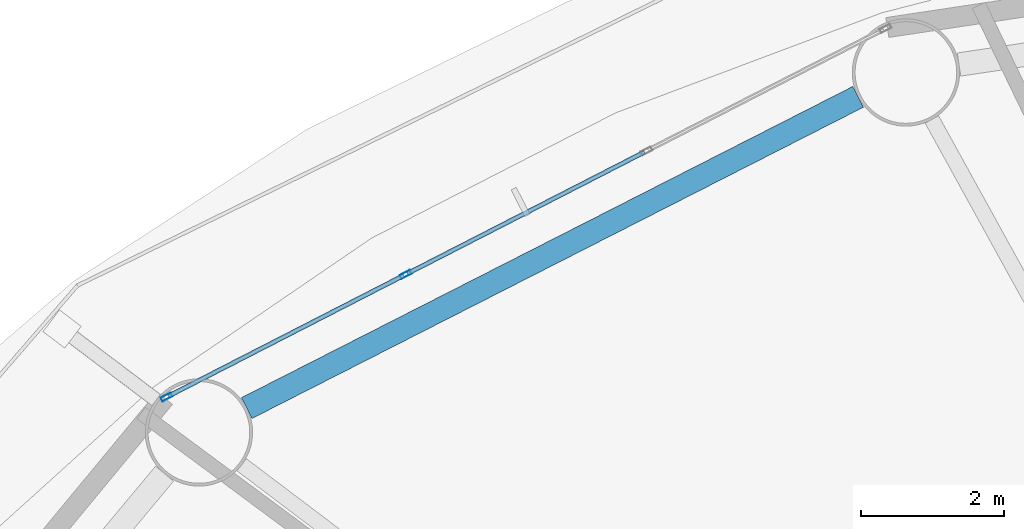
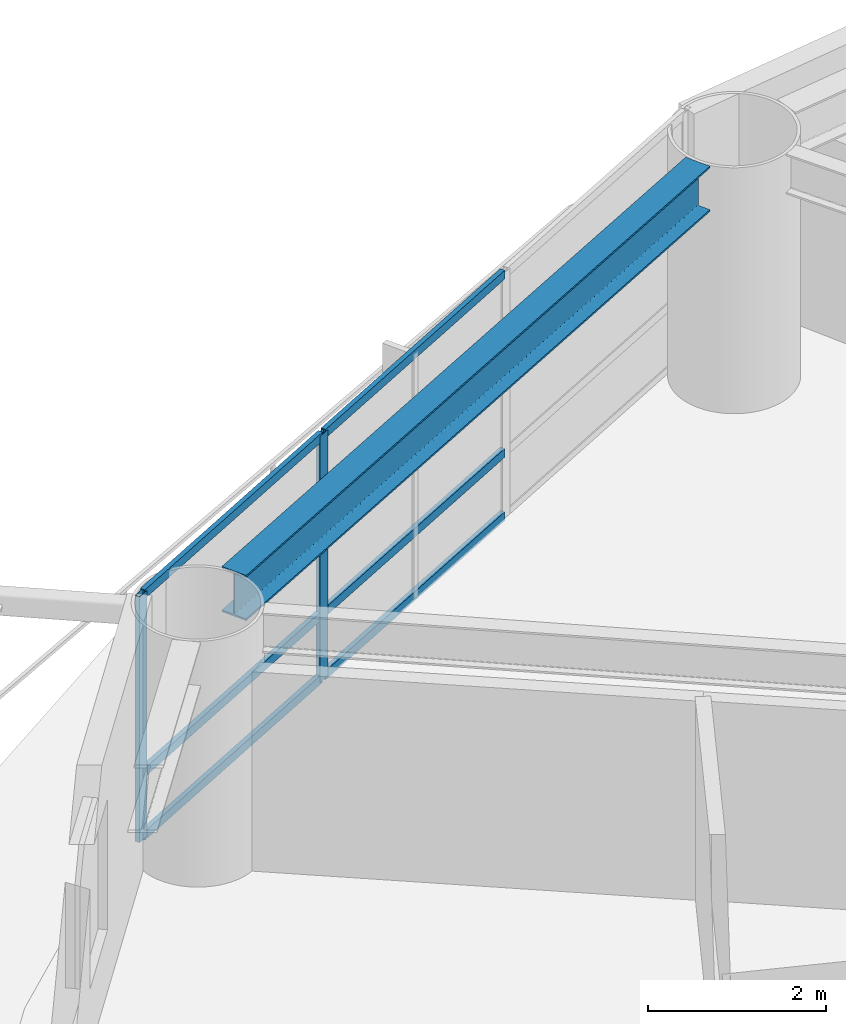
# One storey, part 10 of 26: 8 members, 1 beam, 1 element without a shape of its own.
"""IFC4 building model written with IfcOpenShell, lengths in metres."""

from ifc_helpers import new_model, si_unit, direction, frame, origin, origin_2d, place, context, subcontext, project, spatial, hollow_rectangle, i_section, extrude, material, layer, layer_set, material_profile, profile_set, type_object, element, aggregate, save


model = new_model("IFC4")

# Units and contexts
model_context = context("Model", 3, precision=1e-05, world=origin(), true_north=direction((0.0, 1.0)))
body_context = subcontext(model_context, "Body", "Model", "MODEL_VIEW")
ifc_project = project(units=[si_unit("LENGTHUNIT", "METRE"), si_unit("AREAUNIT", "SQUARE_METRE"), si_unit("VOLUMEUNIT", "CUBIC_METRE"), si_unit("PLANEANGLEUNIT", "RADIAN"), si_unit("MASSUNIT", "GRAM", prefix="KILO")], contexts=[model_context])

# Site, building, storey
site_placement = place(None, origin())
site = spatial("IfcSite", under=ifc_project, at=site_placement, CompositionType="ELEMENT")
building_placement = place(site_placement, origin())
building = spatial("IfcBuilding", under=site, at=building_placement, Name="Sarneth Arch Tower", CompositionType="ELEMENT")
storey_placement = place(building_placement, frame((0.0, 0.0, 35.39990234375)))
storey = spatial("IfcBuildingStorey", under=building, at=storey_placement, Name="L07", CompositionType="ELEMENT", Elevation=35.39990234375)

# Beam
ifc_material_1 = material(Name="Steel S355", Category="steel")
ifc_material_profile_1 = material_profile(ifc_material_1, i_section(OverallWidth=0.326904296875, OverallDepth=0.6220703125, WebThickness=0.015380859375, FlangeThickness=0.0244140625, FilletRadius=0.01904296875, at=origin_2d()), Name="W610x195")
ifc_profile_set_1 = profile_set([ifc_material_profile_1], Name="Steel S355")
beam_type = type_object("IfcBeamType", Name="BM-SPAN-610A", PredefinedType="SPANDREL", material=ifc_profile_set_1)
beam_placement = place(storey_placement, frame((35.513916015625, 63.09375, 3.069091796875), z_axis=(-0.891169106887, -0.453671271882, 0.0), x_axis=(0.453671271882, -0.891169106887, 0.0)))
element("IfcBeam", 1, at=beam_placement, inside=storey, type_object=beam_type, Name="L07 Perimeter spandrel beam 06", PredefinedType="SPANDREL", context=body_context, shape_type="SweptSolid", body=[
    extrude(i_section(OverallWidth=0.326904296875, OverallDepth=0.6220703125, WebThickness=0.015380859375, FlangeThickness=0.0244140625, FilletRadius=0.01904296875, at=origin_2d()), origin(), (0.0, 0.0, 1.0), 9.58544921875),
])

# Curtain wall, members
ifc_material_2 = material(Name="Anodised aluminium Type AA25 and solar-control low-e laminated IGU", Category="aluminium")
ifc_layer = layer(ifc_material_2, 0.159912109375)
ifc_layer_set = layer_set([ifc_layer], Name="Anodised aluminium Type AA25 and solar-control low-e laminated IGU")
curtain_wall_type = type_object("IfcCurtainWallType", Name="CW-HOTEL-LOW", PredefinedType="NOTDEFINED", material=ifc_layer_set)
curtain_wall_placement = place(storey_placement, origin())
curtain_wall = element("IfcCurtainWall", 2, at=curtain_wall_placement, inside=storey, type_object=curtain_wall_type, Name="L07 Unitised curtain wall facet 06", PredefinedType="NOTDEFINED")
ifc_material_3 = material(Name="Anodised Aluminium 6063-T6", Category="aluminium")
ifc_material_profile_2 = material_profile(ifc_material_3, hollow_rectangle(XDim=0.06005859375, YDim=0.159912109375, WallThickness=0.00390625, at=origin_2d()), Name="AL-MULL-160x60x4")
ifc_profile_set_2 = profile_set([ifc_material_profile_2], Name="Anodised Aluminium 6063-T6")
member_type_1 = type_object("IfcMemberType", Name="CW-MULLION", PredefinedType="MULLION", material=ifc_profile_set_2)
member_1_placement = place(storey_placement, frame((29.19140625, 60.611328125, 0.0), z_axis=(0.0, 0.0, 1.0), x_axis=(0.456245197127, -0.889854100456, 0.0)))
member_1 = element("IfcMember", 3, at=member_1_placement, type_object=member_type_1, Name="CW-SYS-3 mullion 3", PredefinedType="MULLION", context=body_context, shape_type="SweptSolid", body=[
    extrude(hollow_rectangle(XDim=0.06005859375, YDim=0.159912109375, WallThickness=0.00390625, at=origin_2d()), origin(), (0.0, 0.0, 1.0), 3.380126953125),
])
member_2_placement = place(storey_placement, frame((25.8525390625, 58.8994140625, 0.0), z_axis=(0.0, 0.0, 1.0), x_axis=(0.456245197127, -0.889854100456, 0.0)))
member_2 = element("IfcMember", 4, at=member_2_placement, type_object=member_type_1, Name="CW-SYS-3 mullion 4", PredefinedType="MULLION", context=body_context, shape_type="SweptSolid", body=[
    extrude(hollow_rectangle(XDim=0.06005859375, YDim=0.159912109375, WallThickness=0.00390625, at=origin_2d()), origin(), (0.0, 0.0, 1.0), 3.380126953125),
])
ifc_material_4 = material(Name="Anodised Aluminium 6063-T6", Category="aluminium")
ifc_material_profile_3 = material_profile(ifc_material_4, hollow_rectangle(XDim=0.06005859375, YDim=0.1201171875, WallThickness=0.00390625, at=origin_2d()), Name="AL-TRAN-120x60x4")
ifc_profile_set_3 = profile_set([ifc_material_profile_3], Name="Anodised Aluminium 6063-T6")
member_type_2 = type_object("IfcMemberType", Name="CW-TRANSOM", PredefinedType="USERDEFINED", material=ifc_profile_set_3)
member_3_placement = place(storey_placement, frame((32.530029296875, 62.322998046875, 0.030029296875), z_axis=(-0.889868677022, -0.456216766083, 0.0), x_axis=(0.456216766083, -0.889868677022, 0.0)))
member_3 = element("IfcMember", 5, at=member_3_placement, type_object=member_type_2, Name="CW-SYS-3 transom 2.1", ObjectType="TRANSOM", PredefinedType="USERDEFINED", context=body_context, shape_type="SweptSolid", body=[
    extrude(hollow_rectangle(XDim=0.06005859375, YDim=0.1201171875, WallThickness=0.00390625, at=origin_2d()), origin(), (0.0, 0.0, 1.0), 3.721923828125),
])
member_4_placement = place(storey_placement, frame((32.530029296875, 62.322998046875, 0.900146484375), z_axis=(-0.889868677022, -0.456216766083, 0.0), x_axis=(0.456216766083, -0.889868677022, 0.0)))
member_4 = element("IfcMember", 6, at=member_4_placement, type_object=member_type_2, Name="CW-SYS-3 transom 2.2", ObjectType="TRANSOM", PredefinedType="USERDEFINED", context=body_context, shape_type="SweptSolid", body=[
    extrude(hollow_rectangle(XDim=0.06005859375, YDim=0.1201171875, WallThickness=0.00390625, at=origin_2d()), origin(), (0.0, 0.0, 1.0), 3.721923828125),
])
member_5_placement = place(storey_placement, frame((32.530029296875, 62.322998046875, 3.35009765625), z_axis=(-0.889868677022, -0.456216766083, 0.0), x_axis=(0.456216766083, -0.889868677022, 0.0)))
member_5 = element("IfcMember", 7, at=member_5_placement, type_object=member_type_2, Name="CW-SYS-3 transom 2.3", ObjectType="TRANSOM", PredefinedType="USERDEFINED", context=body_context, shape_type="SweptSolid", body=[
    extrude(hollow_rectangle(XDim=0.06005859375, YDim=0.1201171875, WallThickness=0.00390625, at=origin_2d()), origin(), (0.0, 0.0, 1.0), 3.721923828125),
])
member_6_placement = place(storey_placement, frame((29.16455078125, 60.597412109375, 0.030029296875), z_axis=(-0.889871845224, -0.456210586327, 0.0), x_axis=(0.456210586327, -0.889871845224, 0.0)))
member_6 = element("IfcMember", 8, at=member_6_placement, type_object=member_type_2, Name="CW-SYS-3 transom 3.1", ObjectType="TRANSOM", PredefinedType="USERDEFINED", context=body_context, shape_type="SweptSolid", body=[
    extrude(hollow_rectangle(XDim=0.06005859375, YDim=0.1201171875, WallThickness=0.00390625, at=origin_2d()), origin(), (0.0, 0.0, 1.0), 3.69189453125),
])
member_7_placement = place(storey_placement, frame((29.16455078125, 60.597412109375, 0.900146484375), z_axis=(-0.889871845224, -0.456210586327, 0.0), x_axis=(0.456210586327, -0.889871845224, 0.0)))
member_7 = element("IfcMember", 9, at=member_7_placement, type_object=member_type_2, Name="CW-SYS-3 transom 3.2", ObjectType="TRANSOM", PredefinedType="USERDEFINED", context=body_context, shape_type="SweptSolid", body=[
    extrude(hollow_rectangle(XDim=0.06005859375, YDim=0.1201171875, WallThickness=0.00390625, at=origin_2d()), origin(), (0.0, 0.0, 1.0), 3.69189453125),
])
member_8_placement = place(storey_placement, frame((29.16455078125, 60.597412109375, 3.35009765625), z_axis=(-0.889871845224, -0.456210586327, 0.0), x_axis=(0.456210586327, -0.889871845224, 0.0)))
member_8 = element("IfcMember", 10, at=member_8_placement, type_object=member_type_2, Name="CW-SYS-3 transom 3.3", ObjectType="TRANSOM", PredefinedType="USERDEFINED", context=body_context, shape_type="SweptSolid", body=[
    extrude(hollow_rectangle(XDim=0.06005859375, YDim=0.1201171875, WallThickness=0.00390625, at=origin_2d()), origin(), (0.0, 0.0, 1.0), 3.69189453125),
])
aggregate(curtain_wall, [member_1, member_2, member_3, member_4, member_5, member_6, member_7, member_8])

save(model, "model.ifc")
